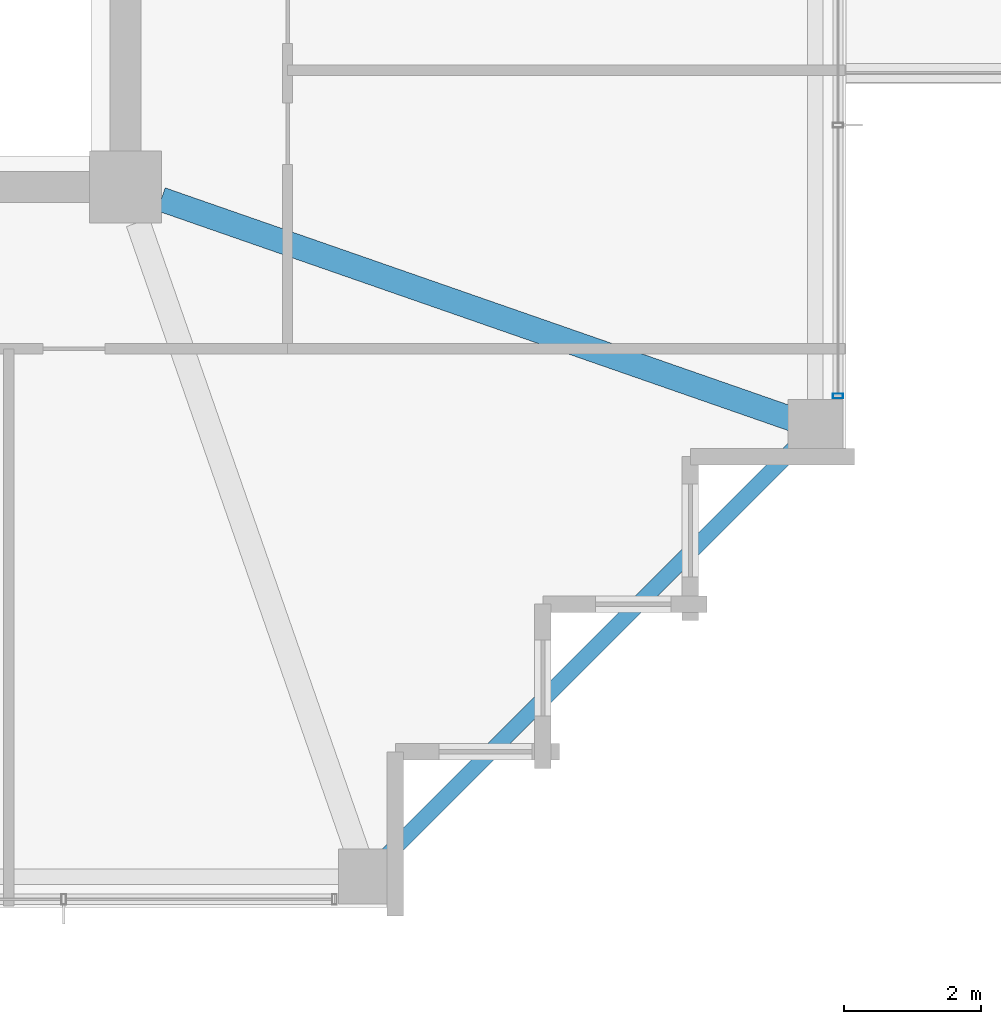
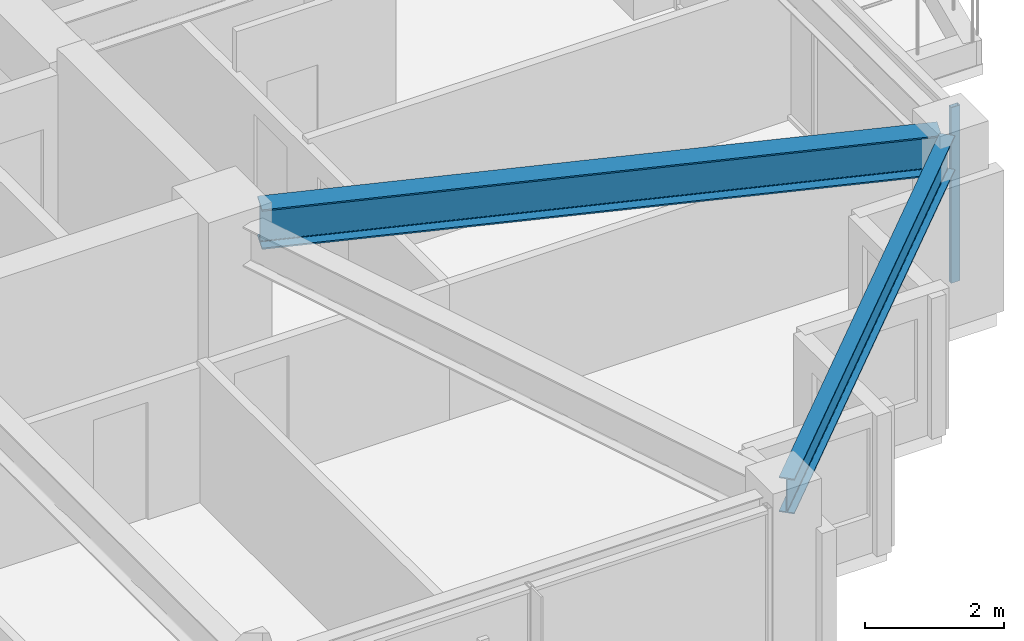
# One storey, part 11 of 35: 2 beams, 1 member, 1 element without a shape of its own.
"""IFC4 building model written with IfcOpenShell, lengths in metres."""

import ifcopenshell
import ifcopenshell.guid

model = None  # the IFC model being written
_history = None  # IfcOwnerHistory: only IFC2X3 demands one
_inside = {}  # id of a spatial element -> (the spatial element, [elements in it])
_under = {}  # id of a project, library or spatial element -> (it, [spatial elements below it])
_declared = {}  # id of a project -> (the project, [libraries it declares])
_typed = {}  # id of a type object -> (the type object, [elements of that type])
_made_of = {}  # id of a material, layer set ... -> (it, [elements and type objects made of it])


def new_model(schema):
    """Start an empty IFC model of exactly this schema.

    Asked for "IFC4X3", IfcOpenShell would pick the latest addendum, in which some entities
    have other attributes; the version numbers below select the first issue.
    IFC2X3 requires an IfcOwnerHistory on every rooted entity: one is made here for all.
    """
    global model, _history
    if schema == "IFC4X3":
        model = ifcopenshell.file(schema_version=(4, 3, 0, 0))
    else:
        model = ifcopenshell.file(schema=schema)
    _inside.clear()
    _under.clear()
    _declared.clear()
    _typed.clear()
    _made_of.clear()
    _history = None
    if model.schema == "IFC2X3":
        org = make("IfcOrganization", Name="unknown")
        user = make(
            "IfcPersonAndOrganization",
            ThePerson=make("IfcPerson", FamilyName="unknown"),
            TheOrganization=org,
        )
        app = make(
            "IfcApplication",
            ApplicationDeveloper=org,
            Version="unknown",
            ApplicationFullName="unknown",
            ApplicationIdentifier="unknown",
        )
        _history = make(
            "IfcOwnerHistory",
            OwningUser=user,
            OwningApplication=app,
            ChangeAction="ADDED",
            CreationDate=0,
        )
    return model


def make(cls, **values):
    """One entity of the class cls with the attributes given. An attribute that is None is left unset."""
    return model.create_entity(
        cls, **{name: value for name, value in values.items() if value is not None}
    )


def rooted(cls, **values):
    """An entity with a GlobalId (a new one), such as an element, a storey or a relation."""
    return make(cls, GlobalId=ifcopenshell.guid.new(), OwnerHistory=_history, **values)


def si_unit(unit_type, name, prefix=None):
    """IfcSIUnit, for example si_unit("LENGTHUNIT", "METRE", prefix="MILLI")."""
    return make("IfcSIUnit", UnitType=unit_type, Prefix=prefix, Name=name)


def assignment(units):
    """IfcUnitAssignment: the units of a project."""
    return None if units is None else make("IfcUnitAssignment", Units=units)


def point(xyz):
    """IfcCartesianPoint."""
    return None if xyz is None else make("IfcCartesianPoint", Coordinates=xyz)


def direction(xyz):
    """IfcDirection."""
    return None if xyz is None else make("IfcDirection", DirectionRatios=xyz)


def frame(location, z_axis=None, x_axis=None):
    """IfcAxis2Placement3D, a coordinate frame: its origin and axes. An axis left out is left unset."""
    return make(
        "IfcAxis2Placement3D",
        Location=point(location),
        Axis=direction(z_axis),
        RefDirection=direction(x_axis),
    )


def frame_2d(location, x_axis=None):
    """IfcAxis2Placement2D, a coordinate frame in the plane: its origin and x axis."""
    return make(
        "IfcAxis2Placement2D", Location=point(location), RefDirection=direction(x_axis)
    )


def origin():
    """The frame at (0, 0, 0) with its axes left unset."""
    return frame((0.0, 0.0, 0.0))


def origin_2d():
    """The frame at (0, 0) in the plane with its x axis left unset."""
    return frame_2d((0.0, 0.0))


def place(relative_to, where):
    """IfcLocalPlacement: puts the frame where relative to a parent placement (None: the world)."""
    return make(
        "IfcLocalPlacement", PlacementRelTo=relative_to, RelativePlacement=where
    )


def context(
    kind, dimensions, precision=None, world=None, true_north=None, identifier=None
):
    """IfcGeometricRepresentationContext, for example the 3D "Model" context."""
    return make(
        "IfcGeometricRepresentationContext",
        ContextIdentifier=identifier,
        ContextType=kind,
        CoordinateSpaceDimension=dimensions,
        Precision=precision,
        WorldCoordinateSystem=world,
        TrueNorth=true_north,
    )


def subcontext(parent, identifier, kind, view, scale=None):
    """IfcGeometricRepresentationSubContext, for example "Body" below "Model"."""
    return make(
        "IfcGeometricRepresentationSubContext",
        ContextIdentifier=identifier,
        ContextType=kind,
        ParentContext=parent,
        TargetScale=scale,
        TargetView=view,
    )


def project(units=None, contexts=None):
    """IfcProject with its units and contexts."""
    return rooted(
        "IfcProject",
        Name="project",
        RepresentationContexts=contexts,
        UnitsInContext=assignment(units),
    )


def spatial(cls, under=None, at=None, **own):
    """A site, building, storey or space (cls), placed at a placement, below another one or the project."""
    s = rooted(cls, ObjectPlacement=at, **own)
    if under is not None:
        _under.setdefault(under.id(), (under, []))[1].append(s)
    return s


def profile(cls, at=None, kind="AREA", **sizes):
    """A parametric profile (cls). Its sizes go by their IFC names, for example OverallWidth=200.0."""
    return make(cls, ProfileType=kind, Position=at, **sizes)


def hollow_rectangle(**sizes):
    """IfcRectangleHollowProfileDef."""
    return profile("IfcRectangleHollowProfileDef", **sizes)


def i_section(**sizes):
    """IfcIShapeProfileDef."""
    return profile("IfcIShapeProfileDef", **sizes)


def extrude(swept, where, along, depth):
    """IfcExtrudedAreaSolid: the profile swept, set in the frame where, extruded along a direction by depth."""
    return make(
        "IfcExtrudedAreaSolid",
        SweptArea=swept,
        Position=where,
        ExtrudedDirection=direction(along),
        Depth=depth,
    )


def shape(context_of_items, identifier, shape_type, items):
    """IfcShapeRepresentation: the items that make up one representation, for example the "Body"."""
    return make(
        "IfcShapeRepresentation",
        ContextOfItems=context_of_items,
        RepresentationIdentifier=identifier,
        RepresentationType=shape_type,
        Items=items,
    )


def material(Name=None, Category=None):
    """IfcMaterial."""
    return make("IfcMaterial", Name=Name, Category=Category)


def material_profile(
    of_material, cross_section, Name=None, Category=None, Priority=None
):
    """IfcMaterialProfile: a cross section and its material."""
    return make(
        "IfcMaterialProfile",
        Name=Name,
        Material=of_material,
        Profile=cross_section,
        Priority=Priority,
        Category=Category,
    )


def profile_set(profiles, Name=None, composite=None):
    """IfcMaterialProfileSet."""
    return make(
        "IfcMaterialProfileSet",
        Name=Name,
        MaterialProfiles=profiles,
        CompositeProfile=composite,
    )


def made_of(thing, what):
    """Note that an element or type object is made of a material, layer set ...; save() writes the relation."""
    if what is not None:
        _made_of.setdefault(what.id(), (what, []))[1].append(thing)
    return thing


def type_object(cls, material=None, **own):
    """A type object (cls), such as IfcWallType, which elements share."""
    return made_of(rooted(cls, **own), material)


def element(
    cls,
    number,
    at=None,
    inside=None,
    cuts=None,
    type_object=None,
    material=None,
    context=None,
    identifier="Body",
    shape_type=None,
    held_by="IfcProductDefinitionShape",
    body=None,
    shapes=None,
    **own,
):
    """One element of the class cls, such as IfcWall. Its Tag is "e" and its number.

    at: its placement. inside: the storey or other place that contains it. cuts: it is an
    opening in that element (IfcRelVoidsElement). A single representation is given by context,
    identifier, shape_type and body (its items); several are given by shapes. held_by: the class
    of the entity that holds the representations. save() writes the other relations.
    """
    e = rooted(cls, Tag="e%d" % number, ObjectPlacement=at, **own)
    if body is not None:
        shapes = [shape(context, identifier, shape_type, body)]
    if shapes is not None:
        e.Representation = make(held_by, Representations=shapes)
    if inside is not None:
        _inside.setdefault(inside.id(), (inside, []))[1].append(e)
    if cuts is not None:
        rooted(
            "IfcRelVoidsElement", RelatingBuildingElement=cuts, RelatedOpeningElement=e
        )
    if type_object is not None:
        _typed.setdefault(type_object.id(), (type_object, []))[1].append(e)
    return made_of(e, material)


def aggregate(whole, parts):
    """IfcRelAggregates: a whole, such as a stair, and the parts it consists of."""
    return rooted("IfcRelAggregates", RelatingObject=whole, RelatedObjects=parts)


def save(model, path):
    """Write the relations noted so far, then the file.

    IfcRelAggregates (storeys below a building ...), IfcRelContainedInSpatialStructure (elements
    in a storey), IfcRelDefinesByType, IfcRelAssociatesMaterial and IfcRelDeclares: one each for
    every whole, place, type object, material and project.
    """
    for whole, parts in _under.values():
        aggregate(whole, parts)
    for where, things in _inside.values():
        rooted(
            "IfcRelContainedInSpatialStructure",
            RelatedElements=things,
            RelatingStructure=where,
        )
    for kind, things in _typed.values():
        rooted("IfcRelDefinesByType", RelatedObjects=things, RelatingType=kind)
    for what, things in _made_of.values():
        rooted("IfcRelAssociatesMaterial", RelatedObjects=things, RelatingMaterial=what)
    for by, libraries in _declared.values():
        rooted("IfcRelDeclares", RelatingContext=by, RelatedDefinitions=libraries)
    model.write(path)


model = new_model("IFC4")

# Units and contexts
model_context = context("Model", 3, precision=1e-05, world=origin(), true_north=direction((0.0, 1.0)))
body_context = subcontext(model_context, "Body", "Model", "MODEL_VIEW")
ifc_project = project(units=[si_unit("LENGTHUNIT", "METRE"), si_unit("AREAUNIT", "SQUARE_METRE"), si_unit("VOLUMEUNIT", "CUBIC_METRE"), si_unit("PLANEANGLEUNIT", "RADIAN"), si_unit("MASSUNIT", "GRAM", prefix="KILO")], contexts=[model_context])

# Site, building, storey
site_placement = place(None, origin())
site = spatial("IfcSite", under=ifc_project, at=site_placement, CompositionType="ELEMENT")
building_placement = place(site_placement, origin())
building = spatial("IfcBuilding", under=site, at=building_placement, Name="Kolvaren Belvedere", CompositionType="ELEMENT")
storey_placement = place(building_placement, frame((0.0, 0.0, 216.300048828125)))
storey = spatial("IfcBuildingStorey", under=building, at=storey_placement, Name="L63", CompositionType="ELEMENT", Elevation=216.300048828125)

# Beams
ifc_material_1 = material(Name="Structural steel ASTM A992 Grade 50", Category="steel")
ifc_material_profile_1 = material_profile(ifc_material_1, i_section(OverallWidth=0.35498046875, OverallDepth=0.696044921875, WebThickness=0.015380859375, FlangeThickness=0.02490234375, FilletRadius=0.02197265625, at=origin_2d()), Name="W27X146")
ifc_profile_set_1 = profile_set([ifc_material_profile_1], Name="Structural steel ASTM A992 Grade 50")
beam_type_1 = type_object("IfcBeamType", Name="BM-GIRD-W27X146", PredefinedType="BEAM", material=ifc_profile_set_1)
beam_1_placement = place(storey_placement, frame((10.41943359375, -10.080810546875, 2.73193359375), z_axis=(0.944365399758, -0.328898147971, 0.0), x_axis=(0.328898147971, 0.944365399758, 0.0)))
element("IfcBeam", 1, at=beam_1_placement, inside=storey, type_object=beam_type_1, Name="L63 Corner Core-to-Perimeter Girder CC2-E1", PredefinedType="BEAM", context=body_context, shape_type="SweptSolid", body=[
    extrude(i_section(OverallWidth=0.35498046875, OverallDepth=0.696044921875, WebThickness=0.015380859375, FlangeThickness=0.02490234375, FilletRadius=0.02197265625, at=origin_2d()), origin(), (0.0, 0.0, 1.0), 9.931884765625),
])
ifc_material_2 = material(Name="Structural steel ASTM A992 Grade 50", Category="steel")
ifc_material_profile_2 = material_profile(ifc_material_2, i_section(OverallWidth=0.22900390625, OverallDepth=0.612060546875, WebThickness=0.011962890625, FlangeThickness=0.01953125, FilletRadius=0.01806640625, at=origin_2d()), Name="W24X84")
ifc_profile_set_2 = profile_set([ifc_material_profile_2], Name="Structural steel ASTM A992 Grade 50")
beam_type_2 = type_object("IfcBeamType", Name="BM-SPAN-W24X84", PredefinedType="SPANDREL", material=ifc_profile_set_2)
beam_2_placement = place(storey_placement, frame((13.52734375, -19.82275390625, 2.77392578125), z_axis=(0.707106781187, 0.707106781187, 0.0), x_axis=(-0.707106781187, 0.707106781187, 0.0)))
element("IfcBeam", 2, at=beam_2_placement, inside=storey, type_object=beam_type_2, Name="L63 Perimeter Spandrel S4-E1", PredefinedType="SPANDREL", context=body_context, shape_type="SweptSolid", body=[
    extrude(i_section(OverallWidth=0.22900390625, OverallDepth=0.612060546875, WebThickness=0.011962890625, FlangeThickness=0.01953125, FilletRadius=0.01806640625, at=origin_2d()), origin(), (0.0, 0.0, 1.0), 8.903076171875),
])

# Curtain wall, member
ifc_material_3 = material(Name="Anodised pale-metal aluminium AA 6063-T6", Category="aluminium")
curtain_wall_type = type_object("IfcCurtainWallType", Name="CW-Z5-HIGH", PredefinedType="NOTDEFINED", material=ifc_material_3)
curtain_wall_placement = place(storey_placement, origin())
curtain_wall = element("IfcCurtainWall", 3, at=curtain_wall_placement, inside=storey, type_object=curtain_wall_type, Name="L63 Unitised Curtain Wall FCW-L63-E2-B2", PredefinedType="NOTDEFINED")
ifc_material_4 = material(Name="Anodised pale-metal aluminium AA 6063-T6", Category="aluminium")
ifc_material_profile_3 = material_profile(ifc_material_4, hollow_rectangle(XDim=0.070068359375, YDim=0.14990234375, WallThickness=0.004150390625, at=origin_2d()), Name="ALU-MUL-150X70")
ifc_profile_set_3 = profile_set([ifc_material_profile_3], Name="Anodised pale-metal aluminium AA 6063-T6")
member_type = type_object("IfcMemberType", Name="CW-MUL-150", PredefinedType="MULLION", material=ifc_profile_set_3)
member_placement = place(storey_placement, frame((20.280029296875, -12.945068359375, 0.0), z_axis=(0.0, 0.0, 1.0), x_axis=(0.0, 1.0, 0.0)))
member = element("IfcMember", 4, at=member_placement, type_object=member_type, Name="FCW-L63-E2-B2 Unitised Mullion 3", PredefinedType="MULLION", context=body_context, shape_type="SweptSolid", body=[
    extrude(hollow_rectangle(XDim=0.070068359375, YDim=0.14990234375, WallThickness=0.004150390625, at=origin_2d()), origin(), (0.0, 0.0, 1.0), 3.079833984375),
])
aggregate(curtain_wall, [member])

save(model, "model.ifc")
